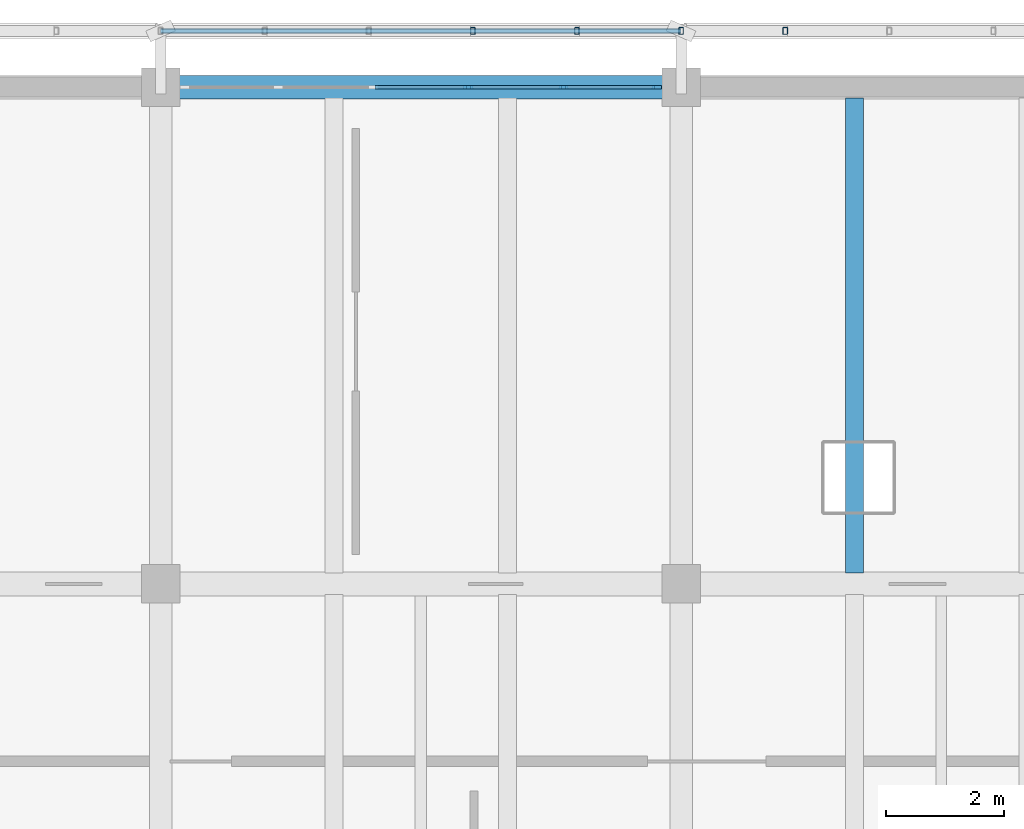
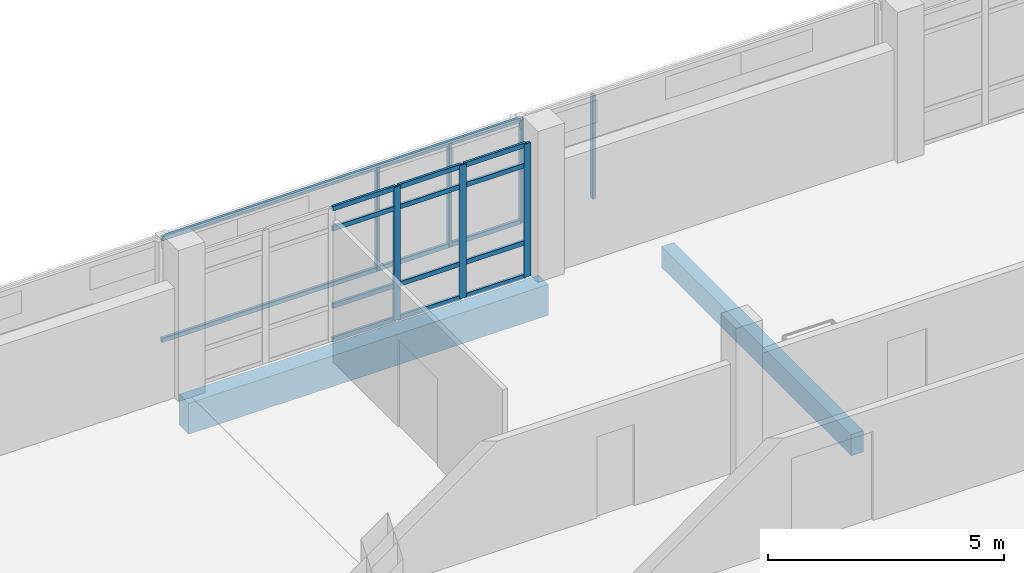
# One storey, part 67 of 117: 21 members, 2 beams, 1 element without a shape of its own.
"""IFC4 building model written with IfcOpenShell, lengths in metres."""

from ifc_helpers import new_model, si_unit, direction, frame, origin, origin_2d, place, context, subcontext, project, spatial, rectangle, hollow_rectangle, extrude, material, material_profile, profile_set, type_object, element, aggregate, save


model = new_model("IFC4")

# Units and contexts
model_context = context("Model", 3, precision=1e-05, world=origin(), true_north=direction((0.0, 1.0)))
body_context = subcontext(model_context, "Body", "Model", "MODEL_VIEW")
ifc_project = project(units=[si_unit("LENGTHUNIT", "METRE"), si_unit("AREAUNIT", "SQUARE_METRE"), si_unit("VOLUMEUNIT", "CUBIC_METRE"), si_unit("PLANEANGLEUNIT", "RADIAN"), si_unit("MASSUNIT", "GRAM", prefix="KILO")], contexts=[model_context])

# Site, building, storey
site_placement = place(None, origin())
site = spatial("IfcSite", under=ifc_project, at=site_placement, CompositionType="ELEMENT")
building_placement = place(site_placement, origin())
building = spatial("IfcBuilding", under=site, at=building_placement, Name="Cinderway Yard Community Centre", CompositionType="ELEMENT")
storey_placement = place(building_placement, frame((0.0, 0.0, 9.0)))
storey = spatial("IfcBuildingStorey", under=building, at=storey_placement, Name="L02", CompositionType="ELEMENT", Elevation=9.0)

# Curtain wall, members
ifc_material_1 = material(Name="Aluminium 6063-T6", Category="aluminium")
curtain_wall_type = type_object("IfcCurtainWallType", Name="ENV-CW-TYPE-30", PredefinedType="USERDEFINED", material=ifc_material_1)
curtain_wall_placement = place(storey_placement, origin())
curtain_wall = element("IfcCurtainWall", 1, at=curtain_wall_placement, inside=storey, type_object=curtain_wall_type, Name="V4 Street Curtain Wall ENV-CW-L02-ST-0151", ObjectType="GLAZED CURTAIN WALL", PredefinedType="USERDEFINED")
ifc_material_profile_1 = material_profile(ifc_material_1, rectangle(XDim=0.06005859375, YDim=0.159912109375, at=origin_2d()), Name="Aluminium 6063-T6")
ifc_profile_set_1 = profile_set([ifc_material_profile_1], Name="Aluminium 6063-T6")
member_type_1 = type_object("IfcMemberType", Name="ENV-CW-MULL-150", PredefinedType="MULLION", material=ifc_profile_set_1)
member_1_placement = place(storey_placement, frame((98.00390625, 115.199951171875, 0.0), z_axis=(0.0, 0.0, 1.0), x_axis=(0.0, 1.0, 0.0)))
member_1 = element("IfcMember", 2, at=member_1_placement, type_object=member_type_1, Name="CW-30 mullion 4", PredefinedType="MULLION", context=body_context, shape_type="SweptSolid", body=[
    extrude(rectangle(XDim=0.06005859375, YDim=0.159912109375, at=origin_2d()), origin(), (0.0, 0.0, 1.0), 3.449951171875),
])
member_2_placement = place(storey_placement, frame((99.612060546875, 115.199951171875, 0.0), z_axis=(0.0, 0.0, 1.0), x_axis=(0.0, 1.0, 0.0)))
member_2 = element("IfcMember", 3, at=member_2_placement, type_object=member_type_1, Name="CW-30 mullion 5", PredefinedType="MULLION", context=body_context, shape_type="SweptSolid", body=[
    extrude(rectangle(XDim=0.06005859375, YDim=0.159912109375, at=origin_2d()), origin(), (0.0, 0.0, 1.0), 3.449951171875),
])
member_3_placement = place(storey_placement, frame((101.18994140625, 115.199951171875, 0.0), z_axis=(0.0, 0.0, 1.0), x_axis=(0.0, 1.0, 0.0)))
member_3 = element("IfcMember", 4, at=member_3_placement, type_object=member_type_1, Name="CW-30 mullion 6", PredefinedType="MULLION", context=body_context, shape_type="SweptSolid", body=[
    extrude(rectangle(XDim=0.06005859375, YDim=0.159912109375, at=origin_2d()), origin(), (0.0, 0.0, 1.0), 3.449951171875),
])
ifc_material_profile_2 = material_profile(ifc_material_1, rectangle(XDim=0.06005859375, YDim=0.1201171875, at=origin_2d()), Name="Aluminium 6063-T6")
ifc_profile_set_2 = profile_set([ifc_material_profile_2], Name="Aluminium 6063-T6")
member_type_2 = type_object("IfcMemberType", Name="ENV-CW-TRAN-110", PredefinedType="USERDEFINED", material=ifc_profile_set_2)
member_4_placement = place(storey_placement, frame((96.426025390625, 115.199951171875, 0.030029296875), z_axis=(1.0, 0.0, 0.0), x_axis=(0.0, 1.0, 0.0)))
member_4 = element("IfcMember", 5, at=member_4_placement, type_object=member_type_2, Name="CW-30 transom 3.1", ObjectType="TRANSOM", PredefinedType="USERDEFINED", context=body_context, shape_type="SweptSolid", body=[
    extrude(rectangle(XDim=0.06005859375, YDim=0.1201171875, at=origin_2d()), origin(), (0.0, 0.0, 1.0), 1.548095703125),
])
member_5_placement = place(storey_placement, frame((96.426025390625, 115.199951171875, 0.89990234375), z_axis=(1.0, 0.0, 0.0), x_axis=(0.0, 1.0, 0.0)))
member_5 = element("IfcMember", 6, at=member_5_placement, type_object=member_type_2, Name="CW-30 transom 3.2", ObjectType="TRANSOM", PredefinedType="USERDEFINED", context=body_context, shape_type="SweptSolid", body=[
    extrude(rectangle(XDim=0.06005859375, YDim=0.1201171875, at=origin_2d()), origin(), (0.0, 0.0, 1.0), 1.548095703125),
])
member_6_placement = place(storey_placement, frame((96.426025390625, 115.199951171875, 2.89990234375), z_axis=(1.0, 0.0, 0.0), x_axis=(0.0, 1.0, 0.0)))
member_6 = element("IfcMember", 7, at=member_6_placement, type_object=member_type_2, Name="CW-30 transom 3.3", ObjectType="TRANSOM", PredefinedType="USERDEFINED", context=body_context, shape_type="SweptSolid", body=[
    extrude(rectangle(XDim=0.06005859375, YDim=0.1201171875, at=origin_2d()), origin(), (0.0, 0.0, 1.0), 1.548095703125),
])
member_7_placement = place(storey_placement, frame((96.426025390625, 115.199951171875, 3.419921875), z_axis=(1.0, 0.0, 0.0), x_axis=(0.0, 1.0, 0.0)))
member_7 = element("IfcMember", 8, at=member_7_placement, type_object=member_type_2, Name="CW-30 transom 3.4", ObjectType="TRANSOM", PredefinedType="USERDEFINED", context=body_context, shape_type="SweptSolid", body=[
    extrude(rectangle(XDim=0.06005859375, YDim=0.1201171875, at=origin_2d()), origin(), (0.0, 0.0, 1.0), 1.548095703125),
])
member_8_placement = place(storey_placement, frame((98.033935546875, 115.199951171875, 0.030029296875), z_axis=(1.0, 0.0, 0.0), x_axis=(0.0, 1.0, 0.0)))
member_8 = element("IfcMember", 9, at=member_8_placement, type_object=member_type_2, Name="CW-30 transom 4.1", ObjectType="TRANSOM", PredefinedType="USERDEFINED", context=body_context, shape_type="SweptSolid", body=[
    extrude(rectangle(XDim=0.06005859375, YDim=0.1201171875, at=origin_2d()), origin(), (0.0, 0.0, 1.0), 1.548095703125),
])
member_9_placement = place(storey_placement, frame((98.033935546875, 115.199951171875, 0.89990234375), z_axis=(1.0, 0.0, 0.0), x_axis=(0.0, 1.0, 0.0)))
member_9 = element("IfcMember", 10, at=member_9_placement, type_object=member_type_2, Name="CW-30 transom 4.2", ObjectType="TRANSOM", PredefinedType="USERDEFINED", context=body_context, shape_type="SweptSolid", body=[
    extrude(rectangle(XDim=0.06005859375, YDim=0.1201171875, at=origin_2d()), origin(), (0.0, 0.0, 1.0), 1.548095703125),
])
member_10_placement = place(storey_placement, frame((98.033935546875, 115.199951171875, 2.89990234375), z_axis=(1.0, 0.0, 0.0), x_axis=(0.0, 1.0, 0.0)))
member_10 = element("IfcMember", 11, at=member_10_placement, type_object=member_type_2, Name="CW-30 transom 4.3", ObjectType="TRANSOM", PredefinedType="USERDEFINED", context=body_context, shape_type="SweptSolid", body=[
    extrude(rectangle(XDim=0.06005859375, YDim=0.1201171875, at=origin_2d()), origin(), (0.0, 0.0, 1.0), 1.548095703125),
])
member_11_placement = place(storey_placement, frame((98.033935546875, 115.199951171875, 3.419921875), z_axis=(1.0, 0.0, 0.0), x_axis=(0.0, 1.0, 0.0)))
member_11 = element("IfcMember", 12, at=member_11_placement, type_object=member_type_2, Name="CW-30 transom 4.4", ObjectType="TRANSOM", PredefinedType="USERDEFINED", context=body_context, shape_type="SweptSolid", body=[
    extrude(rectangle(XDim=0.06005859375, YDim=0.1201171875, at=origin_2d()), origin(), (0.0, 0.0, 1.0), 1.548095703125),
])
member_12_placement = place(storey_placement, frame((99.64208984375, 115.199951171875, 0.030029296875), z_axis=(1.0, 0.0, 0.0), x_axis=(0.0, 1.0, 0.0)))
member_12 = element("IfcMember", 13, at=member_12_placement, type_object=member_type_2, Name="CW-30 transom 5.1", ObjectType="TRANSOM", PredefinedType="USERDEFINED", context=body_context, shape_type="SweptSolid", body=[
    extrude(rectangle(XDim=0.06005859375, YDim=0.1201171875, at=origin_2d()), origin(), (0.0, 0.0, 1.0), 1.517822265625),
])
member_13_placement = place(storey_placement, frame((99.64208984375, 115.199951171875, 0.89990234375), z_axis=(1.0, 0.0, 0.0), x_axis=(0.0, 1.0, 0.0)))
member_13 = element("IfcMember", 14, at=member_13_placement, type_object=member_type_2, Name="CW-30 transom 5.2", ObjectType="TRANSOM", PredefinedType="USERDEFINED", context=body_context, shape_type="SweptSolid", body=[
    extrude(rectangle(XDim=0.06005859375, YDim=0.1201171875, at=origin_2d()), origin(), (0.0, 0.0, 1.0), 1.517822265625),
])
member_14_placement = place(storey_placement, frame((99.64208984375, 115.199951171875, 2.89990234375), z_axis=(1.0, 0.0, 0.0), x_axis=(0.0, 1.0, 0.0)))
member_14 = element("IfcMember", 15, at=member_14_placement, type_object=member_type_2, Name="CW-30 transom 5.3", ObjectType="TRANSOM", PredefinedType="USERDEFINED", context=body_context, shape_type="SweptSolid", body=[
    extrude(rectangle(XDim=0.06005859375, YDim=0.1201171875, at=origin_2d()), origin(), (0.0, 0.0, 1.0), 1.517822265625),
])
member_15_placement = place(storey_placement, frame((99.64208984375, 115.199951171875, 3.419921875), z_axis=(1.0, 0.0, 0.0), x_axis=(0.0, 1.0, 0.0)))
member_15 = element("IfcMember", 16, at=member_15_placement, type_object=member_type_2, Name="CW-30 transom 5.4", ObjectType="TRANSOM", PredefinedType="USERDEFINED", context=body_context, shape_type="SweptSolid", body=[
    extrude(rectangle(XDim=0.06005859375, YDim=0.1201171875, at=origin_2d()), origin(), (0.0, 0.0, 1.0), 1.517822265625),
])
aggregate(curtain_wall, [member_1, member_2, member_3, member_4, member_5, member_6, member_7, member_8, member_9, member_10, member_11, member_12, member_13, member_14, member_15])

# Members
ifc_material_2 = material(Name="Steel S355", Category="steel")
ifc_material_profile_3 = material_profile(ifc_material_2, hollow_rectangle(XDim=0.080078125, YDim=0.1201171875, WallThickness=0.00634765625, InnerFilletRadius=0.00634765625, OuterFilletRadius=0.0126953125, at=origin_2d()), Name="Steel S355")
ifc_profile_set_3 = profile_set([ifc_material_profile_3], Name="Steel S355")
member_type_3 = type_object("IfcMemberType", Name="ENV-MEM-SCREEN-RAIL-120", PredefinedType="STRINGER", material=ifc_profile_set_3)
for number, where, z_axis, x_axis, name in (
    (17, (92.800048828125, 116.14990234375, 0.7099609375), (1.0, 0.0, 0.0), (0.0, 1.0, 0.0), "Screen support rail 0147-BOT"),
    (18, (92.800048828125, 116.14990234375, 3.340087890625), (1.0, 0.0, 0.0), (0.0, 1.0, 0.0), "Screen support rail 0148-TOP"),
):
    element("IfcMember", number, at=place(storey_placement, frame(where, z_axis=z_axis, x_axis=x_axis)), inside=storey, type_object=member_type_3, Name=name, PredefinedType="STRINGER", context=body_context, shape_type="SweptSolid", body=[
        extrude(hollow_rectangle(XDim=0.080078125, YDim=0.1201171875, WallThickness=0.00634765625, InnerFilletRadius=0.00634765625, OuterFilletRadius=0.0126953125, at=origin_2d()), origin(), (0.0, 0.0, 1.0), 8.800048828125),
    ])
for number, where, z_axis, x_axis, name in (
    (19, (98.080078125, 116.14990234375, 0.68994140625), (0.0, 0.0, 1.0), (1.0, 0.0, 0.0), "Screen vertical mullion 0151"),
    (20, (99.840087890625, 116.14990234375, 0.68994140625), (0.0, 0.0, 1.0), (1.0, 0.0, 0.0), "Screen vertical mullion 0152"),
    (21, (101.60009765625, 116.14990234375, 0.68994140625), (0.0, 0.0, 1.0), (1.0, 0.0, 0.0), "Screen vertical mullion 0153"),
    (22, (103.360107421875, 116.14990234375, 0.68994140625), (0.0, 0.0, 1.0), (1.0, 0.0, 0.0), "Screen vertical mullion 0157"),
):
    element("IfcMember", number, at=place(storey_placement, frame(where, z_axis=z_axis, x_axis=x_axis)), inside=storey, type_object=member_type_3, Name=name, PredefinedType="STRINGER", context=body_context, shape_type="SweptSolid", body=[
        extrude(hollow_rectangle(XDim=0.080078125, YDim=0.1201171875, WallThickness=0.00634765625, InnerFilletRadius=0.00634765625, OuterFilletRadius=0.0126953125, at=origin_2d()), origin(), (0.0, 0.0, 1.0), 2.670166015625),
    ])

# Beams
ifc_material_3 = material(Name="Concrete C35/45", Category="concrete")
ifc_material_profile_4 = material_profile(ifc_material_3, rectangle(XDim=0.300048828125, YDim=0.550048828125, at=origin_2d()), Name="Concrete C35/45")
ifc_profile_set_4 = profile_set([ifc_material_profile_4], Name="Concrete C35/45")
beam_type_1 = type_object("IfcBeamType", Name="STR-BM-RC300X550", PredefinedType="JOIST", material=ifc_profile_set_4)
beam_1_placement = place(storey_placement, frame((104.532958984375, 106.98193359375, -0.514892578125), z_axis=(0.0, 1.0, 0.0), x_axis=(-1.0, 0.0, 0.0)))
element("IfcBeam", 23, at=beam_1_placement, inside=storey, type_object=beam_type_1, Name="Secondary joist STR-BM-L02-BJ03-0625", PredefinedType="JOIST", context=body_context, shape_type="SweptSolid", body=[
    extrude(rectangle(XDim=0.300048828125, YDim=0.550048828125, at=origin_2d()), origin(), (0.0, 0.0, 1.0), 8.0361328125),
])
ifc_material_4 = material(Name="Concrete C40/50", Category="concrete")
ifc_material_profile_5 = material_profile(ifc_material_4, rectangle(XDim=0.39990234375, YDim=0.800048828125, at=origin_2d()), Name="Concrete C40/50")
ifc_profile_set_5 = profile_set([ifc_material_profile_5], Name="Concrete C40/50")
beam_type_2 = type_object("IfcBeamType", Name="STR-BM-RC400X800", PredefinedType="BEAM", material=ifc_profile_set_5)
beam_2_placement = place(storey_placement, frame((92.800048828125, 115.199951171875, -0.639892578125), z_axis=(1.0, 0.0, 0.0), x_axis=(0.0, 1.0, 0.0)))
element("IfcBeam", 24, at=beam_2_placement, inside=storey, type_object=beam_type_2, Name="Primary girder STR-BM-L02-BG05-0538", PredefinedType="BEAM", context=body_context, shape_type="SweptSolid", body=[
    extrude(rectangle(XDim=0.39990234375, YDim=0.800048828125, at=origin_2d()), origin(), (0.0, 0.0, 1.0), 8.800048828125),
])

save(model, "model.ifc")
